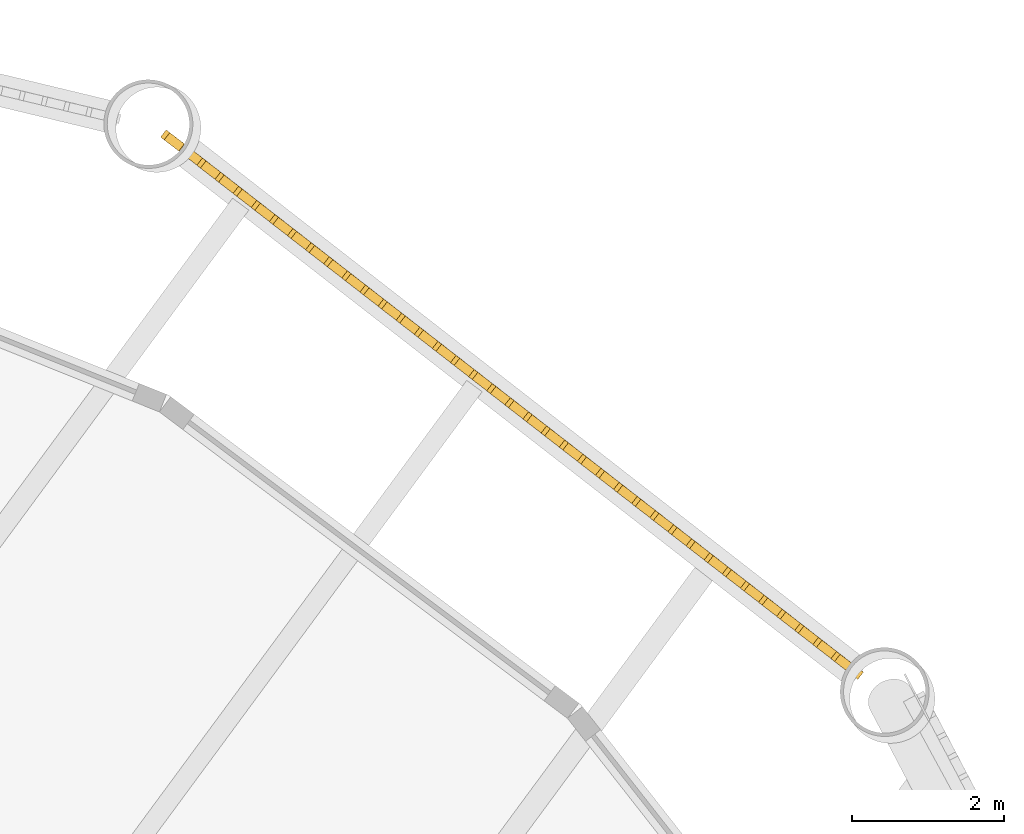
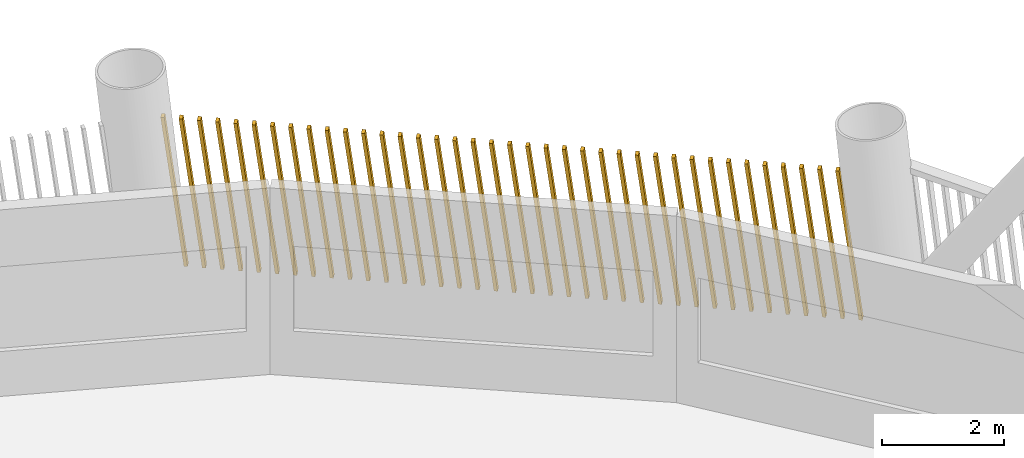
# One storey, part 22 of 23: 1 shading device.
"""IFC4 building model written with IfcOpenShell, lengths in metres."""

from ifc_helpers import new_model, si_unit, direction, frame, frame_2d, origin, place, context, subcontext, project, spatial, rectangle, composite_profile, extrude, material, type_object, element, save


model = new_model("IFC4")

# Units and contexts
model_context = context("Model", 3, precision=1e-05, world=origin(), true_north=direction((0.0, 1.0)))
body_context = subcontext(model_context, "Body", "Model", "MODEL_VIEW")
ifc_project = project(units=[si_unit("LENGTHUNIT", "METRE"), si_unit("AREAUNIT", "SQUARE_METRE"), si_unit("VOLUMEUNIT", "CUBIC_METRE"), si_unit("PLANEANGLEUNIT", "RADIAN"), si_unit("MASSUNIT", "GRAM", prefix="KILO")], contexts=[model_context])

# Site, building, storey
site_placement = place(None, origin())
site = spatial("IfcSite", under=ifc_project, at=site_placement, CompositionType="ELEMENT")
building_placement = place(site_placement, origin())
building = spatial("IfcBuilding", under=site, at=building_placement, Name="Tarsis Ring Headquarters", CompositionType="ELEMENT")
storey_placement = place(building_placement, frame((0.0, 0.0, 124.0)))
storey = spatial("IfcBuildingStorey", under=building, at=storey_placement, Name="L28", CompositionType="ELEMENT", Elevation=124.0)

# Shading device
ifc_material = material(Name="Terracotta baguette", Category="masonry")
shading_device_type = type_object("IfcShadingDeviceType", Name="Terracotta baguette screen", PredefinedType="USERDEFINED", material=ifc_material)
shading_device_placement = place(storey_placement, frame((21.87646484375, 18.956787109375, 0.0), z_axis=(0.0, 0.0, 1.0), x_axis=(-0.789234943028, 0.614085729788, 0.0)))
element("IfcShadingDevice", 1, at=shading_device_placement, inside=storey, type_object=shading_device_type, Name="Baguette screen L28-12", ObjectType="Terracotta baguette screen", PredefinedType="USERDEFINED", context=body_context, shape_type="SweptSolid", body=[
    extrude(composite_profile([rectangle(XDim=0.06005859375, YDim=0.1201171875, at=frame_2d((0.030029296875, 0.0))), rectangle(XDim=0.06005859375, YDim=0.1201171875, at=frame_2d((0.33251953125, 0.0))), rectangle(XDim=0.06005859375, YDim=0.1201171875, at=frame_2d((0.634765625, 0.0))), rectangle(XDim=0.06005859375, YDim=0.1201171875, at=frame_2d((0.937255859375, 0.0))), rectangle(XDim=0.06005859375, YDim=0.1201171875, at=frame_2d((1.239501953125, 0.0))), rectangle(XDim=0.06005859375, YDim=0.1201171875, at=frame_2d((1.5419921875, 0.0))), rectangle(XDim=0.06005859375, YDim=0.1201171875, at=frame_2d((1.844482421875, 0.0))), rectangle(XDim=0.06005859375, YDim=0.1201171875, at=frame_2d((2.146728515625, 0.0))), rectangle(XDim=0.06005859375, YDim=0.1201171875, at=frame_2d((2.44921875, 0.0))), rectangle(XDim=0.06005859375, YDim=0.1201171875, at=frame_2d((2.751708984375, 0.0))), rectangle(XDim=0.06005859375, YDim=0.1201171875, at=frame_2d((3.053955078125, 0.0))), rectangle(XDim=0.06005859375, YDim=0.1201171875, at=frame_2d((3.3564453125, 0.0))), rectangle(XDim=0.06005859375, YDim=0.1201171875, at=frame_2d((3.65869140625, 0.0))), rectangle(XDim=0.06005859375, YDim=0.1201171875, at=frame_2d((3.961181640625, 0.0))), rectangle(XDim=0.06005859375, YDim=0.1201171875, at=frame_2d((4.263671875, 0.0))), rectangle(XDim=0.06005859375, YDim=0.1201171875, at=frame_2d((4.56591796875, 0.0))), rectangle(XDim=0.06005859375, YDim=0.1201171875, at=frame_2d((4.868408203125, 0.0))), rectangle(XDim=0.06005859375, YDim=0.1201171875, at=frame_2d((5.1708984375, 0.0))), rectangle(XDim=0.06005859375, YDim=0.1201171875, at=frame_2d((5.47314453125, 0.0))), rectangle(XDim=0.06005859375, YDim=0.1201171875, at=frame_2d((5.775634765625, 0.0))), rectangle(XDim=0.06005859375, YDim=0.1201171875, at=frame_2d((6.077880859375, 0.0))), rectangle(XDim=0.06005859375, YDim=0.1201171875, at=frame_2d((6.38037109375, 0.0))), rectangle(XDim=0.06005859375, YDim=0.1201171875, at=frame_2d((6.682861328125, 0.0))), rectangle(XDim=0.06005859375, YDim=0.1201171875, at=frame_2d((6.985107421875, 0.0))), rectangle(XDim=0.06005859375, YDim=0.1201171875, at=frame_2d((7.28759765625, 0.0))), rectangle(XDim=0.06005859375, YDim=0.1201171875, at=frame_2d((7.590087890625, 0.0))), rectangle(XDim=0.06005859375, YDim=0.1201171875, at=frame_2d((7.892333984375, 0.0))), rectangle(XDim=0.06005859375, YDim=0.1201171875, at=frame_2d((8.19482421875, 0.0))), rectangle(XDim=0.06005859375, YDim=0.1201171875, at=frame_2d((8.4970703125, 0.0))), rectangle(XDim=0.06005859375, YDim=0.1201171875, at=frame_2d((8.799560546875, 0.0))), rectangle(XDim=0.06005859375, YDim=0.1201171875, at=frame_2d((9.10205078125, 0.0))), rectangle(XDim=0.06005859375, YDim=0.1201171875, at=frame_2d((9.404296875, 0.0))), rectangle(XDim=0.06005859375, YDim=0.1201171875, at=frame_2d((9.706787109375, 0.0))), rectangle(XDim=0.06005859375, YDim=0.1201171875, at=frame_2d((10.00927734375, 0.0))), rectangle(XDim=0.06005859375, YDim=0.1201171875, at=frame_2d((10.3115234375, 0.0))), rectangle(XDim=0.06005859375, YDim=0.1201171875, at=frame_2d((10.614013671875, 0.0))), rectangle(XDim=0.06005859375, YDim=0.1201171875, at=frame_2d((10.916259765625, 0.0))), rectangle(XDim=0.06005859375, YDim=0.1201171875, at=frame_2d((11.21875, 0.0)))]), origin(), (0.129809554297, 0.000882145984, 0.99153855267), 2.977783203125),
])

save(model, "model.ifc")
